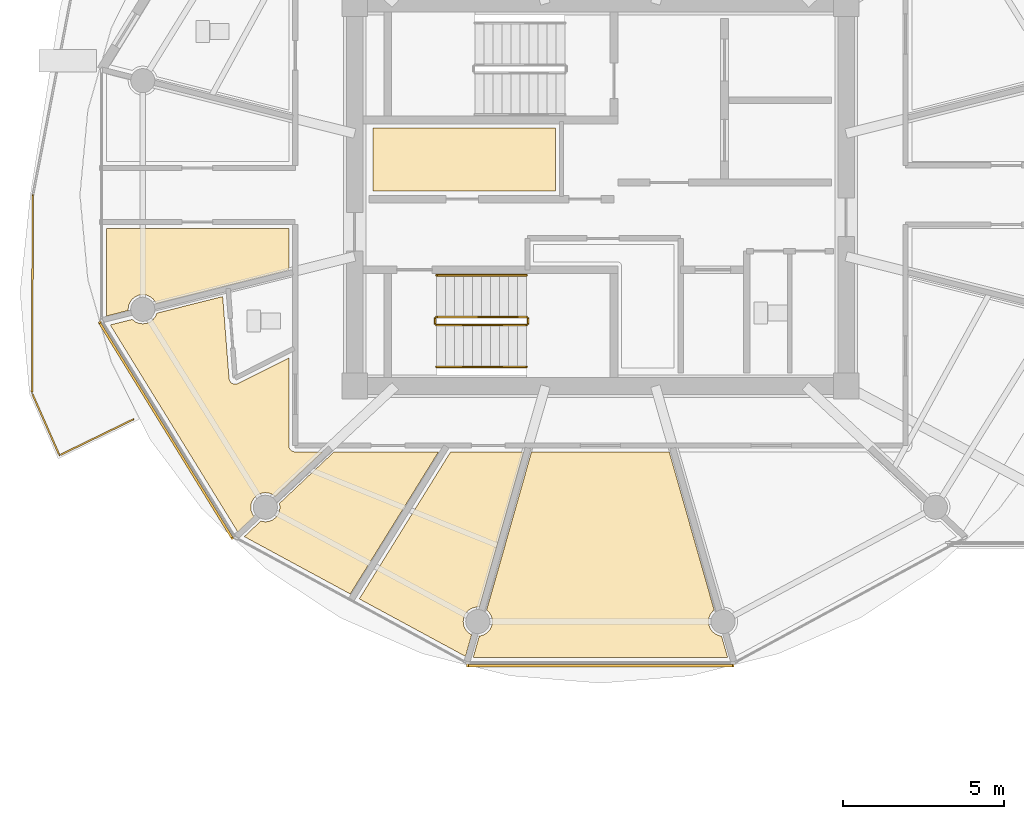
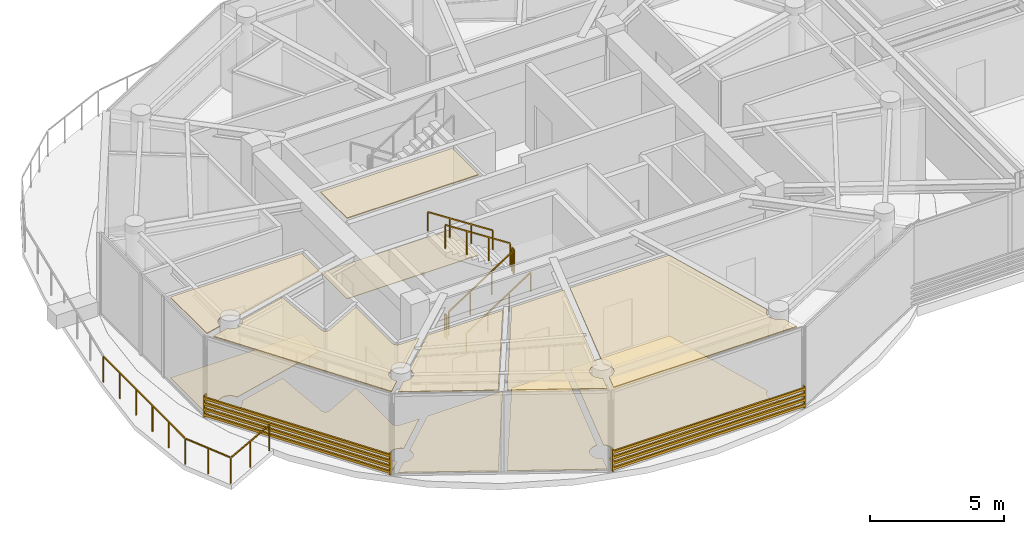
# One storey, part 22 of 31: 12 coverings, 7 railings, 2 shading devices.
"""IFC4 building model written with IfcOpenShell, lengths in metres."""

from ifc_helpers import new_model, si_unit, direction, frame, origin, origin_2d, place, context, subcontext, project, spatial, polyline, rectangle, outline, extrude, source, transform, mapped, material, layer, layer_set, type_object, type_shapes, element, save


model = new_model("IFC4")

# Units and contexts
model_context = context("Model", 3, precision=1e-05, world=origin(), true_north=direction((0.0, 1.0)))
body_context = subcontext(model_context, "Body", "Model", "MODEL_VIEW")
ifc_project = project(units=[si_unit("LENGTHUNIT", "METRE"), si_unit("AREAUNIT", "SQUARE_METRE"), si_unit("VOLUMEUNIT", "CUBIC_METRE"), si_unit("PLANEANGLEUNIT", "RADIAN"), si_unit("MASSUNIT", "GRAM", prefix="KILO")], contexts=[model_context])

# Site, building, storey
site_placement = place(None, origin())
site = spatial("IfcSite", under=ifc_project, at=site_placement, CompositionType="ELEMENT")
building_placement = place(site_placement, origin())
building = spatial("IfcBuilding", under=site, at=building_placement, Name="Norrkilde Senior Care Towers", CompositionType="ELEMENT")
storey_placement = place(building_placement, frame((0.0, 0.0, 199.800048828125)))
storey = spatial("IfcBuildingStorey", under=building, at=storey_placement, Name="L62", CompositionType="ELEMENT", Elevation=199.800048828125)

# Coverings
ifc_material_1 = material(Name="Nordic Ash Timber", Category="wood")
ifc_layer_1 = layer(ifc_material_1, 0.044921875)
ifc_layer_set_1 = layer_set([ifc_layer_1], Name="Nordic Ash Timber")
covering_type_1 = type_object("IfcCoveringType", Name="Acoustic Ash Timber Slatted Ceiling 45", PredefinedType="CEILING", material=ifc_layer_set_1)
covering_1_placement = place(storey_placement, frame((0.0, 0.0, 3.6650390625)))
element("IfcCovering", 1, at=covering_1_placement, inside=storey, type_object=covering_type_1, Name="L62 Suspended Ceiling 0372", PredefinedType="CEILING", context=body_context, shape_type="SweptSolid", body=[
    extrude(outline(polyline([(-29.39990234375, 0.1201171875), (-35.080078125, 0.1201171875), (-35.080078125, 2.090087890625), (-29.39990234375, 2.090087890625), (-29.39990234375, 0.1201171875)])), origin(), (0.0, 0.0, 1.0), 0.044921875),
])
covering_2_placement = place(storey_placement, frame((0.0, 0.0, 3.6650390625)))
element("IfcCovering", 2, at=covering_2_placement, inside=storey, type_object=covering_type_1, Name="L62 Suspended Ceiling 0374", PredefinedType="CEILING", context=body_context, shape_type="SweptSolid", body=[
    extrude(outline(polyline([(-37.699951171875, -1.0400390625), (-37.699951171875, -2.331298828125), (-41.834228515625, -3.377685546875), (-41.853271484375, -3.331298828125), (-41.92578125, -3.237060546875), (-42.02001953125, -3.164794921875), (-42.129638671875, -3.119384765625), (-42.247314453125, -3.103759765625), (-42.365234375, -3.119384765625), (-42.474853515625, -3.164794921875), (-42.569091796875, -3.237060546875), (-42.641357421875, -3.331298828125), (-42.68701171875, -3.44091796875), (-42.702392578125, -3.558837890625), (-42.697509765625, -3.59619140625), (-43.37353515625, -3.76708984375), (-43.37353515625, -1.0400390625), (-37.699951171875, -1.0400390625)])), origin(), (0.0, 0.0, 1.0), 0.044921875),
])
covering_3_placement = place(storey_placement, frame((0.0, 0.0, 3.6650390625)))
element("IfcCovering", 3, at=covering_3_placement, inside=storey, type_object=covering_type_1, Name="L62 Suspended Ceiling 0387", PredefinedType="CEILING", context=body_context, shape_type="SweptSolid", body=[
    extrude(outline(polyline([(-39.5556640625, -5.7470703125), (-39.552490234375, -5.758544921875), (-39.55029296875, -5.764892578125), (-39.546142578125, -5.77587890625), (-39.543212890625, -5.7822265625), (-39.5380859375, -5.792724609375), (-39.53466796875, -5.798583984375), (-39.5283203125, -5.80859375), (-39.5244140625, -5.814208984375), (-39.51708984375, -5.8232421875), (-39.5126953125, -5.82861328125), (-39.50439453125, -5.8369140625), (-39.49951171875, -5.841796875), (-39.49072265625, -5.849365234375), (-39.485107421875, -5.853515625), (-39.4755859375, -5.8603515625), (-39.4697265625, -5.864013671875), (-39.45947265625, -5.86962890625), (-39.453369140625, -5.872802734375), (-39.442626953125, -5.87744140625), (-39.436279296875, -5.880126953125), (-39.425048828125, -5.8837890625), (-39.41845703125, -5.885498046875), (-39.4072265625, -5.88818359375), (-39.400390625, -5.88916015625), (-39.388671875, -5.890625), (-39.3818359375, -5.89111328125), (-39.3701171875, -5.891357421875), (-39.36328125, -5.891357421875), (-39.3515625, -5.890380859375), (-39.3447265625, -5.8896484375), (-39.333251953125, -5.8876953125), (-39.326416015625, -5.88623046875), (-39.315185546875, -5.883056640625), (-39.30859375, -5.880859375), (-39.2978515625, -5.876708984375), (-39.29150390625, -5.873779296875), (-39.2861328125, -5.871337890625), (-37.699951171875, -5.076171875), (-37.699951171875, -7.800048828125), (-37.699951171875, -7.805908203125), (-37.699462890625, -7.813720703125), (-37.6982421875, -7.825439453125), (-37.697265625, -7.833251953125), (-37.69482421875, -7.8447265625), (-37.69287109375, -7.852294921875), (-37.689453125, -7.86376953125), (-37.68701171875, -7.87109375), (-37.682373046875, -7.8818359375), (-37.678955078125, -7.888916015625), (-37.673583984375, -7.8994140625), (-37.66943359375, -7.90625), (-37.662841796875, -7.916015625), (-37.658203125, -7.92236328125), (-37.65087890625, -7.931396484375), (-37.6455078125, -7.937255859375), (-37.63720703125, -7.945556640625), (-37.63134765625, -7.95068359375), (-37.622314453125, -7.958251953125), (-37.615966796875, -7.962890625), (-37.606201171875, -7.969482421875), (-37.599365234375, -7.973388671875), (-37.589111328125, -7.97900390625), (-37.58203125, -7.982421875), (-37.571044921875, -7.98681640625), (-37.563720703125, -7.989501953125), (-37.552490234375, -7.992919921875), (-37.544677734375, -7.994873046875), (-37.533203125, -7.9970703125), (-37.525390625, -7.998291015625), (-37.513671875, -7.99951171875), (-37.505859375, -7.999755859375), (-37.5, -8.0), (-36.644287109375, -8.0), (-38.11865234375, -9.392822265625), (-38.202392578125, -9.32861328125), (-38.31201171875, -9.283203125), (-38.429931640625, -9.267822265625), (-38.547607421875, -9.283203125), (-38.6572265625, -9.32861328125), (-38.75146484375, -9.40087890625), (-38.823974609375, -9.4951171875), (-38.869384765625, -9.60498046875), (-38.884765625, -9.72265625), (-38.869384765625, -9.840576171875), (-38.823974609375, -9.9501953125), (-38.775634765625, -10.01318359375), (-39.28662109375, -10.495849609375), (-43.25732421875, -4.04736328125), (-42.573974609375, -3.874267578125), (-42.569091796875, -3.880615234375), (-42.474853515625, -3.952880859375), (-42.365234375, -3.998291015625), (-42.247314453125, -4.013671875), (-42.129638671875, -3.998291015625), (-42.02001953125, -3.952880859375), (-41.92578125, -3.880615234375), (-41.853271484375, -3.786376953125), (-41.809814453125, -3.680908203125), (-39.760009765625, -3.162109375), (-39.560791015625, -5.71630859375), (-39.56005859375, -5.72216796875), (-39.559326171875, -5.72900390625), (-39.55712890625, -5.740478515625), (-39.5556640625, -5.7470703125)])), origin(), (0.0, 0.0, 1.0), 0.044921875),
])
covering_4_placement = place(storey_placement, frame((0.0, 0.0, 3.6650390625)))
element("IfcCovering", 4, at=covering_4_placement, inside=storey, type_object=covering_type_1, Name="L62 Suspended Ceiling 0390", PredefinedType="CEILING", context=body_context, shape_type="SweptSolid", body=[
    extrude(outline(polyline([(-31.96240234375, -14.407470703125), (-31.770263671875, -13.730224609375), (-31.69970703125, -13.720947265625), (-31.590087890625, -13.675537109375), (-31.495849609375, -13.603271484375), (-31.423583984375, -13.509033203125), (-31.378173828125, -13.399169921875), (-31.362548828125, -13.281494140625), (-31.378173828125, -13.163818359375), (-31.423583984375, -13.053955078125), (-31.495849609375, -12.959716796875), (-31.541748046875, -12.924560546875), (-30.144775390625, -8.0), (-25.855224609375, -8.0), (-24.458251953125, -12.924560546875), (-24.504150390625, -12.959716796875), (-24.576416015625, -13.053955078125), (-24.621826171875, -13.163818359375), (-24.637451171875, -13.281494140625), (-24.621826171875, -13.399169921875), (-24.576416015625, -13.509033203125), (-24.504150390625, -13.603271484375), (-24.409912109375, -13.675537109375), (-24.30029296875, -13.720947265625), (-24.229736328125, -13.730224609375), (-24.03759765625, -14.407470703125), (-31.96240234375, -14.407470703125)])), origin(), (0.0, 0.0, 1.0), 0.044921875),
])
ifc_material_2 = material(Name="Gypsum Acoustic Board")
ifc_layer_2 = layer(ifc_material_2, 0.030029296875)
ifc_layer_set_2 = layer_set([ifc_layer_2], Name="Gypsum Acoustic Board")
covering_type_2 = type_object("IfcCoveringType", Name="Medical Cleanable Gypsum Ceiling 30", PredefinedType="CEILING", material=ifc_layer_set_2)
covering_5_placement = place(storey_placement, frame((0.0, 0.0, 3.679931640625)))
element("IfcCovering", 5, at=covering_5_placement, inside=storey, type_object=covering_type_2, Name="L62 Suspended Ceiling 0388", PredefinedType="CEILING", context=body_context, shape_type="SweptSolid", body=[
    extrude(outline(polyline([(-38.57275390625, -10.15185546875), (-38.547607421875, -10.162109375), (-38.429931640625, -10.177734375), (-38.31201171875, -10.162109375), (-38.202392578125, -10.11669921875), (-38.108154296875, -10.04443359375), (-38.035888671875, -9.9501953125), (-37.990234375, -9.840576171875), (-37.974853515625, -9.72265625), (-37.990234375, -9.60498046875), (-37.9912109375, -9.6025390625), (-36.294677734375, -8.0), (-33.040771484375, -8.0), (-35.787353515625, -12.4228515625), (-39.08642578125, -10.636962890625), (-38.57275390625, -10.15185546875)])), origin(), (0.0, 0.0, 1.0), 0.030029296875),
])
covering_6_placement = place(storey_placement, frame((0.0, 0.0, 3.679931640625)))
element("IfcCovering", 6, at=covering_6_placement, inside=storey, type_object=covering_type_2, Name="L62 Suspended Ceiling 0389", PredefinedType="CEILING", context=body_context, shape_type="SweptSolid", body=[
    extrude(outline(polyline([(-31.76513671875, -12.833251953125), (-31.817626953125, -12.826416015625), (-31.935302734375, -12.842041015625), (-32.045166015625, -12.887451171875), (-32.139404296875, -12.959716796875), (-32.211669921875, -13.053955078125), (-32.257080078125, -13.163818359375), (-32.2724609375, -13.281494140625), (-32.257080078125, -13.399169921875), (-32.211669921875, -13.509033203125), (-32.139404296875, -13.603271484375), (-32.045166015625, -13.675537109375), (-32.008544921875, -13.690673828125), (-32.19970703125, -14.364990234375), (-35.50537109375, -12.575439453125), (-32.6640625, -8.0), (-30.39404296875, -8.0), (-31.76513671875, -12.833251953125)])), origin(), (0.0, 0.0, 1.0), 0.030029296875),
])

# Railing
ifc_material_3 = material(Name="Stainless Steel", Category="steel")
railing_type_1 = type_object("IfcRailingType", Name="Sky Pool Laminated Balustrade 1200", PredefinedType="BALUSTRADE", material=ifc_material_3)
railing_1_placement = place(storey_placement, frame((-42.53662109375, -6.984130859375, 0.0)))
element("IfcRailing", 7, at=railing_1_placement, inside=storey, type_object=railing_type_1, Name="L62 Perimeter Safety Guard 06", PredefinedType="BALUSTRADE", context=body_context, shape_type="SweptSolid", body=[
    extrude(rectangle(XDim=0.048095703125, YDim=0.048095703125, at=origin_2d()), frame((0.0, 0.0, 1.17578125), z_axis=(-0.899177343705, -0.43758439708, 0.0), x_axis=(0.43758439708, -0.899177343705, 0.0)), (0.0, 0.0, 1.0), 2.521728515625),
    extrude(rectangle(XDim=0.048095703125, YDim=0.048095703125, at=origin_2d()), frame((-2.32080078125, -1.083984375, 1.17578125), z_axis=(-0.40338757928, 0.915029213131, 0.0), x_axis=(-0.915029213131, -0.40338757928, 0.0)), (0.0, 0.0, 1.0), 2.035888671875),
    extrude(rectangle(XDim=0.048095703125, YDim=0.048095703125, at=origin_2d()), frame((-3.158203125, 0.857177734375, 1.17578125), z_axis=(0.004123676279, 0.999991497611, 0.0), x_axis=(-0.999991497611, 0.004123676279, 0.0)), (0.0, 0.0, 1.0), 6.116455078125),
    extrude(rectangle(XDim=0.0419921875, YDim=0.0419921875, at=origin_2d()), origin(), (0.0, 0.0, 1.0), 1.14990234375),
    extrude(rectangle(XDim=0.0419921875, YDim=0.0419921875, at=origin_2d()), frame((-1.152099609375, -0.560546875, 0.0)), (0.0, 0.0, 1.0), 1.14990234375),
    extrude(rectangle(XDim=0.0419921875, YDim=0.0419921875, at=origin_2d()), frame((-2.30419921875, -1.121337890625, 0.0)), (0.0, 0.0, 1.0), 1.14990234375),
    extrude(rectangle(XDim=0.0419921875, YDim=0.0419921875, at=origin_2d()), frame((-2.7314453125, -0.15234375, 0.0)), (0.0, 0.0, 1.0), 1.14990234375),
    extrude(rectangle(XDim=0.0419921875, YDim=0.0419921875, at=origin_2d()), frame((-3.158447265625, 0.81640625, 0.0)), (0.0, 0.0, 1.0), 1.14990234375),
    extrude(rectangle(XDim=0.0419921875, YDim=0.0419921875, at=origin_2d()), frame((-3.1533203125, 2.0478515625, 0.0)), (0.0, 0.0, 1.0), 1.14990234375),
    extrude(rectangle(XDim=0.0419921875, YDim=0.0419921875, at=origin_2d()), frame((-3.148193359375, 3.279296875, 0.0)), (0.0, 0.0, 1.0), 1.14990234375),
    extrude(rectangle(XDim=0.0419921875, YDim=0.0419921875, at=origin_2d()), frame((-3.143310546875, 4.5107421875, 0.0)), (0.0, 0.0, 1.0), 1.14990234375),
    extrude(rectangle(XDim=0.0419921875, YDim=0.0419921875, at=origin_2d()), frame((-3.13818359375, 5.7421875, 0.0)), (0.0, 0.0, 1.0), 1.14990234375),
    extrude(rectangle(XDim=0.0419921875, YDim=0.0419921875, at=origin_2d()), frame((-3.133056640625, 6.9736328125, 0.0)), (0.0, 0.0, 1.0), 1.14990234375),
])

# Coverings
ifc_material_4 = material(Name="Slip-Resistant Porcelain Stone", Category="masonry")
ifc_layer_3 = layer(ifc_material_4, 0.02490234375)
ifc_layer_set_3 = layer_set([ifc_layer_3], Name="Slip-Resistant Porcelain Stone")
covering_type_3 = type_object("IfcCoveringType", Name="Slip-Resistant Porcelain Flooring 25", PredefinedType="FLOORING", material=ifc_layer_set_3)
covering_7_placement = place(storey_placement, origin())
element("IfcCovering", 8, at=covering_7_placement, inside=storey, type_object=covering_type_3, Name="L62 Floor Finish 0372", PredefinedType="FLOORING", context=body_context, shape_type="SweptSolid", body=[
    extrude(outline(polyline([(-29.39990234375, 0.1201171875), (-35.080078125, 0.1201171875), (-35.080078125, 2.090087890625), (-29.39990234375, 2.090087890625), (-29.39990234375, 0.1201171875)])), origin(), (0.0, 0.0, 1.0), 0.02490234375),
])
covering_8_placement = place(storey_placement, origin())
element("IfcCovering", 9, at=covering_8_placement, inside=storey, type_object=covering_type_3, Name="L62 Floor Finish 0374", PredefinedType="FLOORING", context=body_context, shape_type="SweptSolid", body=[
    extrude(outline(polyline([(-37.699951171875, -1.0400390625), (-37.699951171875, -2.331298828125), (-41.834228515625, -3.377685546875), (-41.853271484375, -3.331298828125), (-41.92578125, -3.237060546875), (-42.02001953125, -3.164794921875), (-42.129638671875, -3.119384765625), (-42.247314453125, -3.103759765625), (-42.365234375, -3.119384765625), (-42.474853515625, -3.164794921875), (-42.569091796875, -3.237060546875), (-42.641357421875, -3.331298828125), (-42.68701171875, -3.44091796875), (-42.702392578125, -3.558837890625), (-42.697509765625, -3.59619140625), (-43.37353515625, -3.76708984375), (-43.37353515625, -1.0400390625), (-37.699951171875, -1.0400390625)])), origin(), (0.0, 0.0, 1.0), 0.02490234375),
])
covering_9_placement = place(storey_placement, origin())
element("IfcCovering", 10, at=covering_9_placement, inside=storey, type_object=covering_type_3, Name="L62 Floor Finish 0387", PredefinedType="FLOORING", context=body_context, shape_type="SweptSolid", body=[
    extrude(outline(polyline([(-39.5556640625, -5.7470703125), (-39.552490234375, -5.758544921875), (-39.55029296875, -5.764892578125), (-39.546142578125, -5.77587890625), (-39.543212890625, -5.7822265625), (-39.5380859375, -5.792724609375), (-39.53466796875, -5.798583984375), (-39.5283203125, -5.80859375), (-39.5244140625, -5.814208984375), (-39.51708984375, -5.8232421875), (-39.5126953125, -5.82861328125), (-39.50439453125, -5.8369140625), (-39.49951171875, -5.841796875), (-39.49072265625, -5.849365234375), (-39.485107421875, -5.853515625), (-39.4755859375, -5.8603515625), (-39.4697265625, -5.864013671875), (-39.45947265625, -5.86962890625), (-39.453369140625, -5.872802734375), (-39.442626953125, -5.87744140625), (-39.436279296875, -5.880126953125), (-39.425048828125, -5.8837890625), (-39.41845703125, -5.885498046875), (-39.4072265625, -5.88818359375), (-39.400390625, -5.88916015625), (-39.388671875, -5.890625), (-39.3818359375, -5.89111328125), (-39.3701171875, -5.891357421875), (-39.36328125, -5.891357421875), (-39.3515625, -5.890380859375), (-39.3447265625, -5.8896484375), (-39.333251953125, -5.8876953125), (-39.326416015625, -5.88623046875), (-39.315185546875, -5.883056640625), (-39.30859375, -5.880859375), (-39.2978515625, -5.876708984375), (-39.29150390625, -5.873779296875), (-39.2861328125, -5.871337890625), (-37.699951171875, -5.076171875), (-37.699951171875, -7.800048828125), (-37.699951171875, -7.805908203125), (-37.699462890625, -7.813720703125), (-37.6982421875, -7.825439453125), (-37.697265625, -7.833251953125), (-37.69482421875, -7.8447265625), (-37.69287109375, -7.852294921875), (-37.689453125, -7.86376953125), (-37.68701171875, -7.87109375), (-37.682373046875, -7.8818359375), (-37.678955078125, -7.888916015625), (-37.673583984375, -7.8994140625), (-37.66943359375, -7.90625), (-37.662841796875, -7.916015625), (-37.658203125, -7.92236328125), (-37.65087890625, -7.931396484375), (-37.6455078125, -7.937255859375), (-37.63720703125, -7.945556640625), (-37.63134765625, -7.95068359375), (-37.622314453125, -7.958251953125), (-37.615966796875, -7.962890625), (-37.606201171875, -7.969482421875), (-37.599365234375, -7.973388671875), (-37.589111328125, -7.97900390625), (-37.58203125, -7.982421875), (-37.571044921875, -7.98681640625), (-37.563720703125, -7.989501953125), (-37.552490234375, -7.992919921875), (-37.544677734375, -7.994873046875), (-37.533203125, -7.9970703125), (-37.525390625, -7.998291015625), (-37.513671875, -7.99951171875), (-37.505859375, -7.999755859375), (-37.5, -8.0), (-36.644287109375, -8.0), (-38.11865234375, -9.392822265625), (-38.202392578125, -9.32861328125), (-38.31201171875, -9.283203125), (-38.429931640625, -9.267822265625), (-38.547607421875, -9.283203125), (-38.6572265625, -9.32861328125), (-38.75146484375, -9.40087890625), (-38.823974609375, -9.4951171875), (-38.869384765625, -9.60498046875), (-38.884765625, -9.72265625), (-38.869384765625, -9.840576171875), (-38.823974609375, -9.9501953125), (-38.775634765625, -10.01318359375), (-39.28662109375, -10.495849609375), (-43.25732421875, -4.04736328125), (-42.573974609375, -3.874267578125), (-42.569091796875, -3.880615234375), (-42.474853515625, -3.952880859375), (-42.365234375, -3.998291015625), (-42.247314453125, -4.013671875), (-42.129638671875, -3.998291015625), (-42.02001953125, -3.952880859375), (-41.92578125, -3.880615234375), (-41.853271484375, -3.786376953125), (-41.809814453125, -3.680908203125), (-39.760009765625, -3.162109375), (-39.560791015625, -5.71630859375), (-39.56005859375, -5.72216796875), (-39.559326171875, -5.72900390625), (-39.55712890625, -5.740478515625), (-39.5556640625, -5.7470703125)])), origin(), (0.0, 0.0, 1.0), 0.02490234375),
])
covering_10_placement = place(storey_placement, origin())
element("IfcCovering", 11, at=covering_10_placement, inside=storey, type_object=covering_type_3, Name="L62 Floor Finish 0388", PredefinedType="FLOORING", context=body_context, shape_type="SweptSolid", body=[
    extrude(outline(polyline([(-38.57275390625, -10.15185546875), (-38.547607421875, -10.162109375), (-38.429931640625, -10.177734375), (-38.31201171875, -10.162109375), (-38.202392578125, -10.11669921875), (-38.108154296875, -10.04443359375), (-38.035888671875, -9.9501953125), (-37.990234375, -9.840576171875), (-37.974853515625, -9.72265625), (-37.990234375, -9.60498046875), (-37.9912109375, -9.6025390625), (-36.294677734375, -8.0), (-33.040771484375, -8.0), (-35.787353515625, -12.4228515625), (-39.08642578125, -10.636962890625), (-38.57275390625, -10.15185546875)])), origin(), (0.0, 0.0, 1.0), 0.02490234375),
])
covering_11_placement = place(storey_placement, origin())
element("IfcCovering", 12, at=covering_11_placement, inside=storey, type_object=covering_type_3, Name="L62 Floor Finish 0389", PredefinedType="FLOORING", context=body_context, shape_type="SweptSolid", body=[
    extrude(outline(polyline([(-31.76513671875, -12.833251953125), (-31.817626953125, -12.826416015625), (-31.935302734375, -12.842041015625), (-32.045166015625, -12.887451171875), (-32.139404296875, -12.959716796875), (-32.211669921875, -13.053955078125), (-32.257080078125, -13.163818359375), (-32.2724609375, -13.281494140625), (-32.257080078125, -13.399169921875), (-32.211669921875, -13.509033203125), (-32.139404296875, -13.603271484375), (-32.045166015625, -13.675537109375), (-32.008544921875, -13.690673828125), (-32.19970703125, -14.364990234375), (-35.50537109375, -12.575439453125), (-32.6640625, -8.0), (-30.39404296875, -8.0), (-31.76513671875, -12.833251953125)])), origin(), (0.0, 0.0, 1.0), 0.02490234375),
])
covering_12_placement = place(storey_placement, origin())
element("IfcCovering", 13, at=covering_12_placement, inside=storey, type_object=covering_type_3, Name="L62 Floor Finish 0390", PredefinedType="FLOORING", context=body_context, shape_type="SweptSolid", body=[
    extrude(outline(polyline([(-31.96240234375, -14.407470703125), (-31.770263671875, -13.730224609375), (-31.69970703125, -13.720947265625), (-31.590087890625, -13.675537109375), (-31.495849609375, -13.603271484375), (-31.423583984375, -13.509033203125), (-31.378173828125, -13.399169921875), (-31.362548828125, -13.281494140625), (-31.378173828125, -13.163818359375), (-31.423583984375, -13.053955078125), (-31.495849609375, -12.959716796875), (-31.541748046875, -12.924560546875), (-30.144775390625, -8.0), (-25.855224609375, -8.0), (-24.458251953125, -12.924560546875), (-24.504150390625, -12.959716796875), (-24.576416015625, -13.053955078125), (-24.621826171875, -13.163818359375), (-24.637451171875, -13.281494140625), (-24.621826171875, -13.399169921875), (-24.576416015625, -13.509033203125), (-24.504150390625, -13.603271484375), (-24.409912109375, -13.675537109375), (-24.30029296875, -13.720947265625), (-24.229736328125, -13.730224609375), (-24.03759765625, -14.407470703125), (-31.96240234375, -14.407470703125)])), origin(), (0.0, 0.0, 1.0), 0.02490234375),
])

# Railings
railing_type_2 = type_object("IfcRailingType", Name="Stair and Terrace Guardrail 1100", PredefinedType="GUARDRAIL", material=ifc_material_3)
railing_2_placement = place(storey_placement, frame((-33.10009765625, -4.050048828125, 0.181884765625)))
element("IfcRailing", 14, at=railing_2_placement, inside=storey, type_object=railing_type_2, Name="L62 ST-W2 stair guard 1", PredefinedType="GUARDRAIL", context=body_context, shape_type="SweptSolid", body=[
    extrude(rectangle(XDim=0.048095703125, YDim=0.048095703125, at=origin_2d()), frame((0.0, 0.0, 1.076171875), z_axis=(0.838705829183, 0.0, 0.544584733623), x_axis=(0.0, 1.0, 0.0)), (0.0, 0.0, 1.0), 3.338623046875),
    extrude(rectangle(XDim=0.0419921875, YDim=0.0419921875, at=origin_2d()), origin(), (0.0, 0.0, 1.0), 1.050048828125),
    extrude(rectangle(XDim=0.0419921875, YDim=0.0419921875, at=origin_2d()), frame((0.933349609375, 0.0, 0.60595703125)), (0.0, 0.0, 1.0), 1.050048828125),
    extrude(rectangle(XDim=0.0419921875, YDim=0.0419921875, at=origin_2d()), frame((1.86669921875, 0.0, 1.212158203125)), (0.0, 0.0, 1.0), 1.050048828125),
    extrude(rectangle(XDim=0.0419921875, YDim=0.0419921875, at=origin_2d()), frame((2.800048828125, 0.0, 1.818115234375)), (0.0, 0.0, 1.0), 1.050048828125),
])
railing_3_placement = place(storey_placement, frame((-30.25, -4.0, 2.0)))
element("IfcRailing", 15, at=railing_3_placement, inside=storey, type_object=railing_type_2, Name="L62 ST-W2 stair guard 2", PredefinedType="GUARDRAIL", context=body_context, shape_type="SweptSolid", body=[
    extrude(rectangle(XDim=0.048095703125, YDim=0.048095703125, at=origin_2d()), frame((0.0, 0.0, 1.076171875), z_axis=(0.0, 1.0, 0.0), x_axis=(-1.0, 0.0, 0.0)), (0.0, 0.0, 1.0), 0.14990234375),
    extrude(rectangle(XDim=0.0419921875, YDim=0.0419921875, at=origin_2d()), origin(), (0.0, 0.0, 1.0), 1.050048828125),
    extrude(rectangle(XDim=0.0419921875, YDim=0.0419921875, at=origin_2d()), frame((0.0, 0.14990234375, 0.0)), (0.0, 0.0, 1.0), 1.050048828125),
])
railing_4_placement = place(storey_placement, frame((-30.300048828125, -3.800048828125, 2.181884765625)))
element("IfcRailing", 16, at=railing_4_placement, inside=storey, type_object=railing_type_2, Name="L62 ST-W2 stair guard 3", PredefinedType="GUARDRAIL", context=body_context, shape_type="SweptSolid", body=[
    extrude(rectangle(XDim=0.048095703125, YDim=0.048095703125, at=origin_2d()), frame((0.0, 0.0, 1.076171875), z_axis=(-0.838705829183, 0.0, 0.544584733623), x_axis=(0.0, -1.0, 0.0)), (0.0, 0.0, 1.0), 3.338623046875),
    extrude(rectangle(XDim=0.0419921875, YDim=0.0419921875, at=origin_2d()), origin(), (0.0, 0.0, 1.0), 1.050048828125),
    extrude(rectangle(XDim=0.0419921875, YDim=0.0419921875, at=origin_2d()), frame((-0.933349609375, 0.0, 0.60595703125)), (0.0, 0.0, 1.0), 1.050048828125),
    extrude(rectangle(XDim=0.0419921875, YDim=0.0419921875, at=origin_2d()), frame((-1.86669921875, 0.0, 1.212158203125)), (0.0, 0.0, 1.0), 1.050048828125),
    extrude(rectangle(XDim=0.0419921875, YDim=0.0419921875, at=origin_2d()), frame((-2.800048828125, 0.0, 1.818115234375)), (0.0, 0.0, 1.0), 1.050048828125),
])
railing_5_placement = place(storey_placement, frame((-33.14990234375, -4.0, 0.0)))
element("IfcRailing", 17, at=railing_5_placement, inside=storey, type_object=railing_type_2, Name="L62 ST-W2 stair guard 4", PredefinedType="GUARDRAIL", context=body_context, shape_type="SweptSolid", body=[
    extrude(rectangle(XDim=0.048095703125, YDim=0.048095703125, at=origin_2d()), frame((0.0, 0.0, 1.076171875), z_axis=(0.0, 1.0, 0.0), x_axis=(-1.0, 0.0, 0.0)), (0.0, 0.0, 1.0), 0.14990234375),
    extrude(rectangle(XDim=0.0419921875, YDim=0.0419921875, at=origin_2d()), origin(), (0.0, 0.0, 1.0), 1.050048828125),
    extrude(rectangle(XDim=0.0419921875, YDim=0.0419921875, at=origin_2d()), frame((0.0, 0.14990234375, 0.0)), (0.0, 0.0, 1.0), 1.050048828125),
])
railing_type_3 = type_object("IfcRailingType", Name="Wall and Stair Handrail 900", PredefinedType="HANDRAIL", material=ifc_material_1)
railing_6_placement = place(storey_placement, frame((-33.10009765625, -5.35009765625, 0.181884765625)))
element("IfcRailing", 18, at=railing_6_placement, inside=storey, type_object=railing_type_3, Name="L62 ST-W2 stair handrail 1", PredefinedType="HANDRAIL", context=body_context, shape_type="SweptSolid", body=[
    extrude(rectangle(XDim=0.048095703125, YDim=0.048095703125, at=origin_2d()), frame((0.0, 0.0, 0.8759765625), z_axis=(0.838705829183, 0.0, 0.544584733623), x_axis=(0.0, 1.0, 0.0)), (0.0, 0.0, 1.0), 3.338623046875),
    extrude(rectangle(XDim=0.0419921875, YDim=0.0419921875, at=origin_2d()), origin(), (0.0, 0.0, 1.0), 0.849853515625),
    extrude(rectangle(XDim=0.0419921875, YDim=0.0419921875, at=origin_2d()), frame((0.933349609375, 0.0, 0.60595703125)), (0.0, 0.0, 1.0), 0.849853515625),
    extrude(rectangle(XDim=0.0419921875, YDim=0.0419921875, at=origin_2d()), frame((1.86669921875, 0.0, 1.212158203125)), (0.0, 0.0, 1.0), 0.849853515625),
    extrude(rectangle(XDim=0.0419921875, YDim=0.0419921875, at=origin_2d()), frame((2.800048828125, 0.0, 1.818115234375)), (0.0, 0.0, 1.0), 0.849853515625),
])
railing_7_placement = place(storey_placement, frame((-30.300048828125, -2.5, 2.181884765625)))
element("IfcRailing", 19, at=railing_7_placement, inside=storey, type_object=railing_type_3, Name="L62 ST-W2 stair handrail 2", PredefinedType="HANDRAIL", context=body_context, shape_type="SweptSolid", body=[
    extrude(rectangle(XDim=0.048095703125, YDim=0.048095703125, at=origin_2d()), frame((0.0, 0.0, 0.8759765625), z_axis=(-0.838705829183, 0.0, 0.544584733623), x_axis=(0.0, -1.0, 0.0)), (0.0, 0.0, 1.0), 3.338623046875),
    extrude(rectangle(XDim=0.0419921875, YDim=0.0419921875, at=origin_2d()), origin(), (0.0, 0.0, 1.0), 0.849853515625),
    extrude(rectangle(XDim=0.0419921875, YDim=0.0419921875, at=origin_2d()), frame((-0.933349609375, 0.0, 0.60595703125)), (0.0, 0.0, 1.0), 0.849853515625),
    extrude(rectangle(XDim=0.0419921875, YDim=0.0419921875, at=origin_2d()), frame((-1.86669921875, 0.0, 1.212158203125)), (0.0, 0.0, 1.0), 0.849853515625),
    extrude(rectangle(XDim=0.0419921875, YDim=0.0419921875, at=origin_2d()), frame((-2.800048828125, 0.0, 1.818115234375)), (0.0, 0.0, 1.0), 0.849853515625),
])

# Shading devices
ifc_material_5 = material(Name="Architectural Terracotta", Category="masonry")
shading_device_type = type_object("IfcShadingDeviceType", Name="Horizontal Terracotta Baguette Rack", PredefinedType="USERDEFINED", material=ifc_material_5)
shared_shape_1 = source(origin(), body_context, "Body", "SweptSolid", [
    extrude(rectangle(XDim=0.070068359375, YDim=0.110107421875, at=origin_2d()), frame((0.0, 0.090087890625, 0.125), z_axis=(1.0, 0.0, 0.0), x_axis=(0.0, 1.0, 0.0)), (0.0, 0.0, 1.0), 7.938232421875),
    extrude(rectangle(XDim=0.070068359375, YDim=0.110107421875, at=origin_2d()), frame((0.0, 0.090087890625, 0.375), z_axis=(1.0, 0.0, 0.0), x_axis=(0.0, 1.0, 0.0)), (0.0, 0.0, 1.0), 7.938232421875),
    extrude(rectangle(XDim=0.070068359375, YDim=0.110107421875, at=origin_2d()), frame((0.0, 0.090087890625, 0.625), z_axis=(1.0, 0.0, 0.0), x_axis=(0.0, 1.0, 0.0)), (0.0, 0.0, 1.0), 7.938232421875),
    extrude(rectangle(XDim=0.070068359375, YDim=0.110107421875, at=origin_2d()), frame((0.0, 0.090087890625, 0.875), z_axis=(1.0, 0.0, 0.0), x_axis=(0.0, 1.0, 0.0)), (0.0, 0.0, 1.0), 7.938232421875),
    extrude(rectangle(XDim=0.050048828125, YDim=0.1552734375, at=origin_2d()), frame((0.02490234375, 0.047607421875, 0.0)), (0.0, 0.0, 1.0), 1.0),
    extrude(rectangle(XDim=0.050048828125, YDim=0.1552734375, at=origin_2d()), frame((7.9130859375, 0.047607421875, 0.0)), (0.0, 0.0, 1.0), 1.0),
])
shading_device_1_placement = place(storey_placement, frame((-39.370361328125, -10.6630859375, 0.079833984375), z_axis=(0.0, 0.0, 1.0), x_axis=(-0.524250345994, 0.851576195602, 0.0)))
element("IfcShadingDevice", 20, at=shading_device_1_placement, inside=storey, type_object=shading_device_type, Name="L62 Drum W Terracotta Baguette Screen 06", ObjectType="BAGUETTE", PredefinedType="USERDEFINED", context=body_context, shape_type="MappedRepresentation", body=[
    mapped(shared_shape_1, transform((0.0, 0.0, 0.0), x_axis=(1.0, 0.0, 0.0), y_axis=(0.0, 1.0, 0.0), z_axis=(0.0, 0.0, 1.0), scale=1.0)),
])
shared_shape_2 = source(origin(), body_context, "Body", "SweptSolid", [
    extrude(rectangle(XDim=0.070068359375, YDim=0.110107421875, at=origin_2d()), frame((0.0, 0.090087890625, 0.125), z_axis=(1.0, 0.0, 0.0), x_axis=(0.0, 1.0, 0.0)), (0.0, 0.0, 1.0), 8.32373046875),
    extrude(rectangle(XDim=0.070068359375, YDim=0.110107421875, at=origin_2d()), frame((0.0, 0.090087890625, 0.375), z_axis=(1.0, 0.0, 0.0), x_axis=(0.0, 1.0, 0.0)), (0.0, 0.0, 1.0), 8.32373046875),
    extrude(rectangle(XDim=0.070068359375, YDim=0.110107421875, at=origin_2d()), frame((0.0, 0.090087890625, 0.625), z_axis=(1.0, 0.0, 0.0), x_axis=(0.0, 1.0, 0.0)), (0.0, 0.0, 1.0), 8.32373046875),
    extrude(rectangle(XDim=0.070068359375, YDim=0.110107421875, at=origin_2d()), frame((0.0, 0.090087890625, 0.875), z_axis=(1.0, 0.0, 0.0), x_axis=(0.0, 1.0, 0.0)), (0.0, 0.0, 1.0), 8.32373046875),
    extrude(rectangle(XDim=0.050048828125, YDim=0.1552734375, at=origin_2d()), frame((0.02490234375, 0.047607421875, 0.0)), (0.0, 0.0, 1.0), 1.0),
    extrude(rectangle(XDim=0.050048828125, YDim=0.1552734375, at=origin_2d()), frame((8.298828125, 0.047607421875, 0.0)), (0.0, 0.0, 1.0), 1.0),
])
type_shapes(shading_device_type, [shared_shape_1, shared_shape_2])
shading_device_2_placement = place(storey_placement, frame((-23.838134765625, -14.566162109375, 0.079833984375), z_axis=(0.0, 0.0, 1.0), x_axis=(-1.0, 0.0, 0.0)))
element("IfcShadingDevice", 21, at=shading_device_2_placement, inside=storey, type_object=shading_device_type, Name="L62 Drum W Terracotta Baguette Screen 08", ObjectType="BAGUETTE", PredefinedType="USERDEFINED", context=body_context, shape_type="MappedRepresentation", body=[
    mapped(shared_shape_2, transform((0.0, 0.0, 0.0), x_axis=(1.0, 0.0, 0.0), y_axis=(0.0, 1.0, 0.0), z_axis=(0.0, 0.0, 1.0), scale=1.0)),
])

save(model, "model.ifc")
